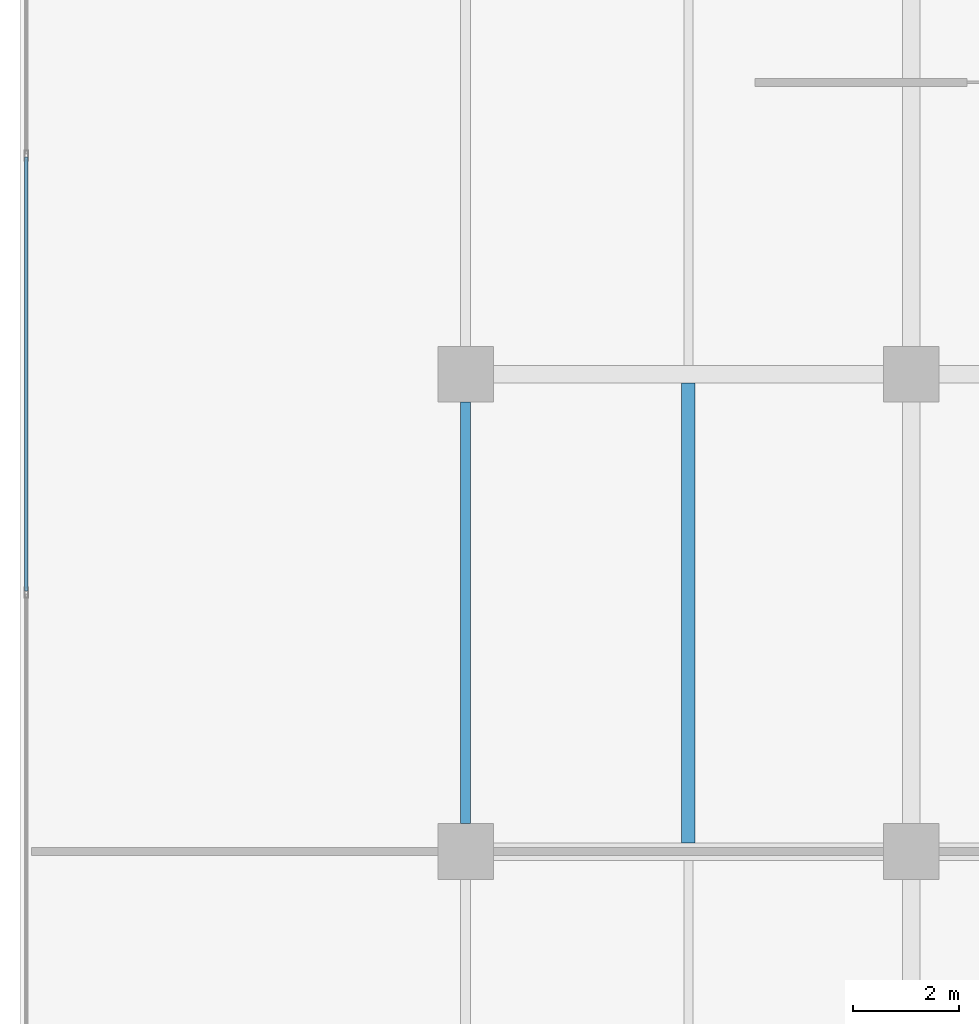
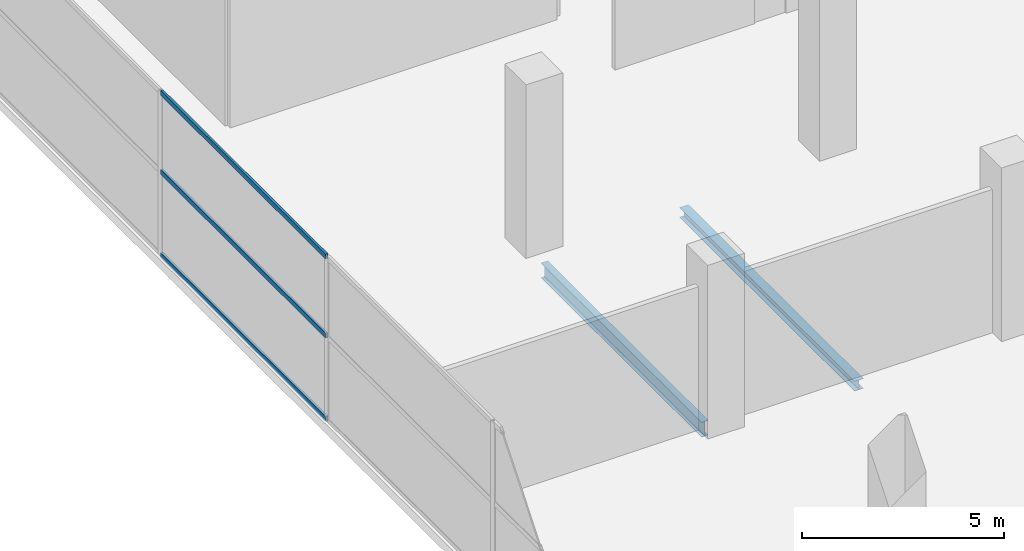
# One storey, part 10 of 40: 3 members, 2 beams, 1 element without a shape of its own.
"""IFC4 building model written with IfcOpenShell, lengths in metres."""

from ifc_helpers import new_model, si_unit, direction, frame, origin, origin_2d, place, context, subcontext, project, spatial, hollow_rectangle, i_section, extrude, material, layer, layer_set, material_profile, profile_set, type_object, element, aggregate, save


model = new_model("IFC4")

# Units and contexts
model_context = context("Model", 3, precision=1e-05, world=origin(), true_north=direction((0.0, 1.0)))
body_context = subcontext(model_context, "Body", "Model", "MODEL_VIEW")
ifc_project = project(units=[si_unit("LENGTHUNIT", "METRE"), si_unit("AREAUNIT", "SQUARE_METRE"), si_unit("VOLUMEUNIT", "CUBIC_METRE"), si_unit("PLANEANGLEUNIT", "RADIAN"), si_unit("MASSUNIT", "GRAM", prefix="KILO")], contexts=[model_context])

# Site, building, storey
site_placement = place(None, origin())
site = spatial("IfcSite", under=ifc_project, at=site_placement, CompositionType="ELEMENT")
building_placement = place(site_placement, origin())
building = spatial("IfcBuilding", under=site, at=building_placement, Name="Maruvema Waterfront Hotel and Observation Tower", CompositionType="ELEMENT")
storey_placement = place(building_placement, frame((0.0, 0.0, 5.60009765625)))
storey = spatial("IfcBuildingStorey", under=building, at=storey_placement, Name="L01", CompositionType="ELEMENT", Elevation=5.60009765625)

# Curtain wall, members
ifc_material_1 = material(Name="Anodised bronze aluminium and solar-control low-E IGU", Category="aluminium")
ifc_layer = layer(ifc_material_1, 0.159912109375, Name="Podium Waterfront Storefront Curtain Wall System CW-01")
ifc_layer_set = layer_set([ifc_layer], Name="Anodised bronze aluminium and solar-control low-E IGU")
curtain_wall_type = type_object("IfcCurtainWallType", Name="Podium Waterfront Storefront Curtain Wall System CW-01", PredefinedType="USERDEFINED", material=ifc_layer_set)
curtain_wall_placement = place(storey_placement, origin())
curtain_wall = element("IfcCurtainWall", 1, at=curtain_wall_placement, inside=storey, type_object=curtain_wall_type, Name="L01 Curtain Wall CW-L01-W", ObjectType="UNITISED CURTAIN WALL", PredefinedType="USERDEFINED")
ifc_material_2 = material(Name="Anodised architectural bronze aluminium", Category="aluminium")
ifc_material_profile_1 = material_profile(ifc_material_2, hollow_rectangle(XDim=0.070068359375, YDim=0.14990234375, WallThickness=0.00390625, at=origin_2d()), Name="ALU-T70x150")
ifc_profile_set_1 = profile_set([ifc_material_profile_1], Name="Anodised architectural bronze aluminium")
member_type = type_object("IfcMemberType", Name="Curtain Wall Horizontal Transom ALU-T70x150", PredefinedType="USERDEFINED", material=ifc_profile_set_1)
member_1_placement = place(storey_placement, frame((0.1201171875, 31.090087890625, 0.02978515625), z_axis=(0.0, -1.0, 0.0), x_axis=(1.0, 0.0, 0.0)))
member_1 = element("IfcMember", 2, at=member_1_placement, type_object=member_type, Name="CW-01 transom 3.1", ObjectType="TRANSOM", PredefinedType="USERDEFINED", context=body_context, shape_type="SweptSolid", body=[
    extrude(hollow_rectangle(XDim=0.070068359375, YDim=0.14990234375, WallThickness=0.00390625, at=origin_2d()), origin(), (0.0, 0.0, 1.0), 8.18017578125),
])
member_2_placement = place(storey_placement, frame((0.1201171875, 31.090087890625, 2.5498046875), z_axis=(0.0, -1.0, 0.0), x_axis=(1.0, 0.0, 0.0)))
member_2 = element("IfcMember", 3, at=member_2_placement, type_object=member_type, Name="CW-01 transom 3.2", ObjectType="TRANSOM", PredefinedType="USERDEFINED", context=body_context, shape_type="SweptSolid", body=[
    extrude(hollow_rectangle(XDim=0.070068359375, YDim=0.14990234375, WallThickness=0.00390625, at=origin_2d()), origin(), (0.0, 0.0, 1.0), 8.18017578125),
])
member_3_placement = place(storey_placement, frame((0.1201171875, 31.090087890625, 4.93994140625), z_axis=(0.0, -1.0, 0.0), x_axis=(1.0, 0.0, 0.0)))
member_3 = element("IfcMember", 4, at=member_3_placement, type_object=member_type, Name="CW-01 transom 3.3", ObjectType="TRANSOM", PredefinedType="USERDEFINED", context=body_context, shape_type="SweptSolid", body=[
    extrude(hollow_rectangle(XDim=0.070068359375, YDim=0.14990234375, WallThickness=0.00390625, at=origin_2d()), origin(), (0.0, 0.0, 1.0), 8.18017578125),
])
aggregate(curtain_wall, [member_1, member_2, member_3])

# Beams
ifc_material_3 = material(Name="Steel ASTM A572 Grade 50", Category="steel")
ifc_material_profile_2 = material_profile(ifc_material_3, i_section(OverallWidth=0.18994140625, OverallDepth=0.45703125, WebThickness=0.009033203125, FlangeThickness=0.014404296875, FilletRadius=0.014892578125, at=origin_2d()), Name="W460x74.0")
ifc_profile_set_2 = profile_set([ifc_material_profile_2], Name="Steel ASTM A572 Grade 50")
beam_type_1 = type_object("IfcBeamType", Name="Perimeter Spandrel Beam W460x74.0", PredefinedType="SPANDREL", material=ifc_profile_set_2)
beam_1_placement = place(storey_placement, frame((8.39990234375, 18.52490234375, -0.508544921875), z_axis=(0.0, 1.0, 0.0), x_axis=(-1.0, 0.0, 0.0)))
element("IfcBeam", 5, at=beam_1_placement, inside=storey, type_object=beam_type_1, Name="L01 Floor Girder NS-03", PredefinedType="SPANDREL", context=body_context, shape_type="SweptSolid", body=[
    extrude(i_section(OverallWidth=0.18994140625, OverallDepth=0.45703125, WebThickness=0.009033203125, FlangeThickness=0.014404296875, FilletRadius=0.014892578125, at=origin_2d()), origin(), (0.0, 0.0, 1.0), 7.9501953125),
])
ifc_material_4 = material(Name="Steel ASTM A572 Grade 50", Category="steel")
ifc_material_profile_3 = material_profile(ifc_material_4, i_section(OverallWidth=0.25390625, OverallDepth=0.305908203125, WebThickness=0.0087890625, FlangeThickness=0.0146484375, FilletRadius=0.014892578125, at=origin_2d()), Name="W310x79.0")
ifc_profile_set_3 = profile_set([ifc_material_profile_3], Name="Steel ASTM A572 Grade 50")
beam_type_2 = type_object("IfcBeamType", Name="Secondary Floor Joist W310x79.0", PredefinedType="JOIST", material=ifc_profile_set_3)
beam_2_placement = place(storey_placement, frame((12.60009765625, 18.16455078125, -0.43310546875), z_axis=(0.0, 1.0, 0.0), x_axis=(-1.0, 0.0, 0.0)))
element("IfcBeam", 6, at=beam_2_placement, inside=storey, type_object=beam_type_2, Name="L01 Secondary Floor Joist JS-02", PredefinedType="JOIST", context=body_context, shape_type="SweptSolid", body=[
    extrude(i_section(OverallWidth=0.25390625, OverallDepth=0.305908203125, WebThickness=0.0087890625, FlangeThickness=0.0146484375, FilletRadius=0.014892578125, at=origin_2d()), origin(), (0.0, 0.0, 1.0), 8.6708984375),
])

save(model, "model.ifc")
